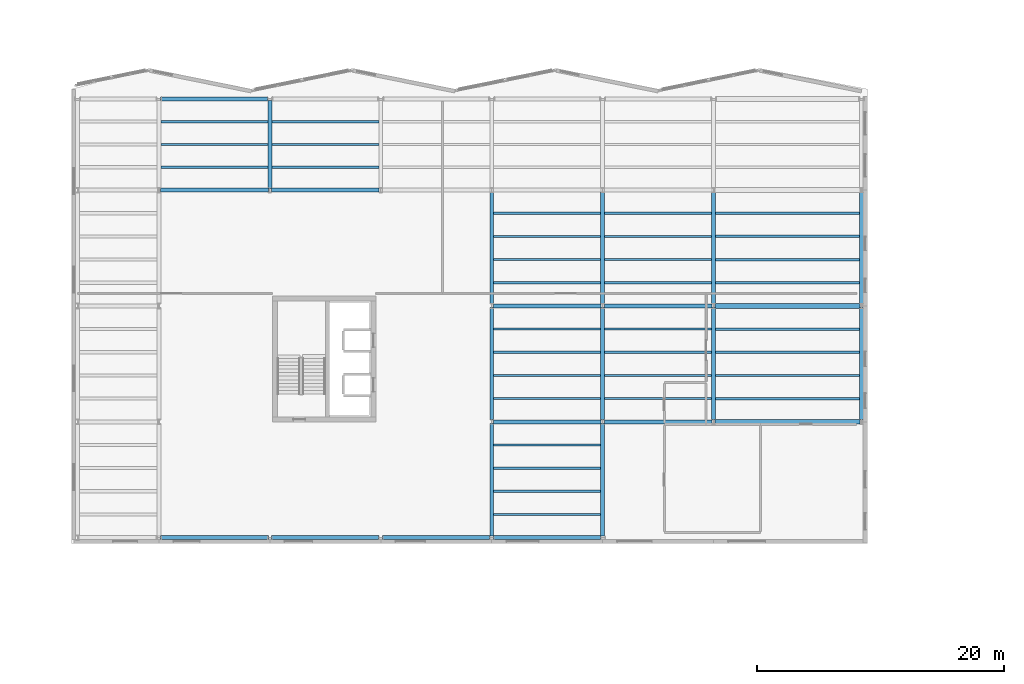
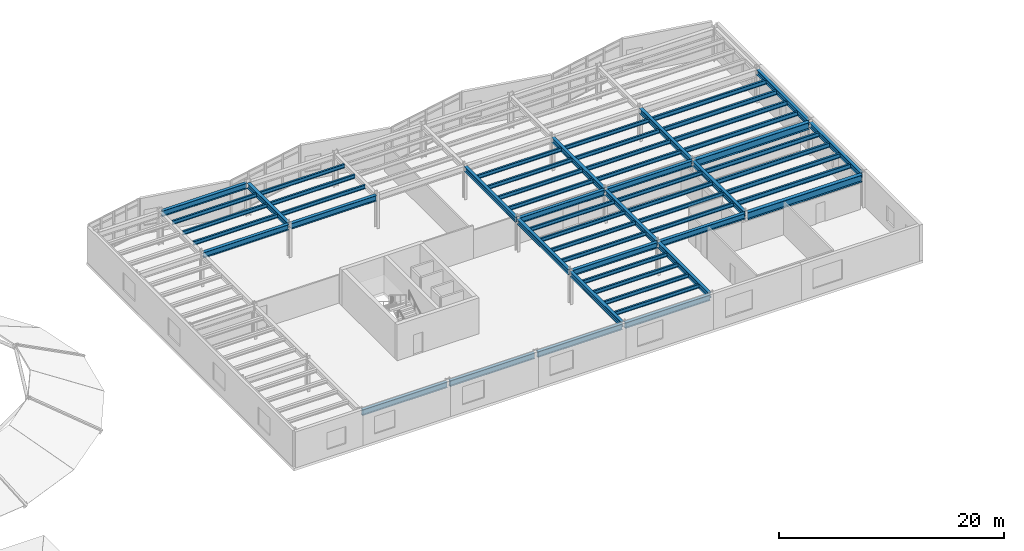
# One storey, part 13 of 46: 58 beams.
"""IFC4 building model written with IfcOpenShell, lengths in metres."""

from ifc_helpers import new_model, si_unit, direction, frame, origin, origin_2d, place, context, subcontext, project, spatial, i_section, extrude, material, material_profile, profile_set, type_object, element, save


model = new_model("IFC4")

# Units and contexts
model_context = context("Model", 3, precision=1e-05, world=origin(), true_north=direction((0.0, 1.0)))
body_context = subcontext(model_context, "Body", "Model", "MODEL_VIEW")
ifc_project = project(units=[si_unit("LENGTHUNIT", "METRE"), si_unit("AREAUNIT", "SQUARE_METRE"), si_unit("VOLUMEUNIT", "CUBIC_METRE"), si_unit("PLANEANGLEUNIT", "RADIAN"), si_unit("MASSUNIT", "GRAM", prefix="KILO")], contexts=[model_context])

# Site, building, storey
site_placement = place(None, origin())
site = spatial("IfcSite", under=ifc_project, at=site_placement, CompositionType="ELEMENT")
building_placement = place(site_placement, origin())
building = spatial("IfcBuilding", under=site, at=building_placement, Name="Sollismere Congress Hotel", CompositionType="ELEMENT")
storey_placement = place(building_placement, frame((0.0, 0.0, 19.5)))
storey = spatial("IfcBuildingStorey", under=building, at=storey_placement, Name="L04", CompositionType="ELEMENT", Elevation=19.5)

# Beams
ifc_material = material(Name="Steel ASTM A992 Grade 50", Category="steel")
ifc_material_profile_1 = material_profile(ifc_material, i_section(OverallWidth=0.31494140625, OverallDepth=0.551025390625, WebThickness=0.01513671875, FlangeThickness=0.0244140625, at=origin_2d()), Name="W21X122")
ifc_profile_set_1 = profile_set([ifc_material_profile_1], Name="Steel ASTM A992 Grade 50")
beam_type_1 = type_object("IfcBeamType", Name="BM-G21H", PredefinedType="BEAM", material=ifc_profile_set_1)
beam_1_placement = place(storey_placement, frame((76.0, 95.139892578125, 3.33447265625), z_axis=(0.0, 1.0, 0.0), x_axis=(-1.0, 0.0, 0.0)))
element("IfcBeam", 1, at=beam_1_placement, inside=storey, type_object=beam_type_1, Name="Beam BM-L04-2737", PredefinedType="BEAM", context=body_context, shape_type="SweptSolid", body=[
    extrude(i_section(OverallWidth=0.31494140625, OverallDepth=0.551025390625, WebThickness=0.01513671875, FlangeThickness=0.0244140625, at=origin_2d()), origin(), (0.0, 0.0, 1.0), 7.1201171875),
])
beam_2_placement = place(storey_placement, frame((94.0, 66.93994140625, 3.33447265625), z_axis=(0.0, 1.0, 0.0), x_axis=(-1.0, 0.0, 0.0)))
element("IfcBeam", 2, at=beam_2_placement, inside=storey, type_object=beam_type_1, Name="Beam BM-L04-2742", PredefinedType="BEAM", context=body_context, shape_type="SweptSolid", body=[
    extrude(i_section(OverallWidth=0.31494140625, OverallDepth=0.551025390625, WebThickness=0.01513671875, FlangeThickness=0.0244140625, at=origin_2d()), origin(), (0.0, 0.0, 1.0), 9.1201171875),
])
beam_3_placement = place(storey_placement, frame((94.0, 76.340087890625, 3.33447265625), z_axis=(0.0, 1.0, 0.0), x_axis=(-1.0, 0.0, 0.0)))
element("IfcBeam", 3, at=beam_3_placement, inside=storey, type_object=beam_type_1, Name="Beam BM-L04-2743", PredefinedType="BEAM", context=body_context, shape_type="SweptSolid", body=[
    extrude(i_section(OverallWidth=0.31494140625, OverallDepth=0.551025390625, WebThickness=0.01513671875, FlangeThickness=0.0244140625, at=origin_2d()), origin(), (0.0, 0.0, 1.0), 9.119873046875),
])
for number, where, z_axis, x_axis, name in (
    (4, (94.0, 85.739990234375, 3.33447265625), (0.0, 1.0, 0.0), (-1.0, 0.0, 0.0), "Beam BM-L04-2744"),
    (5, (103.0, 66.93994140625, 3.33447265625), (0.0, 1.0, 0.0), (-1.0, 0.0, 0.0), "Beam BM-L04-2747"),
):
    element("IfcBeam", number, at=place(storey_placement, frame(where, z_axis=z_axis, x_axis=x_axis)), inside=storey, type_object=beam_type_1, Name=name, PredefinedType="BEAM", context=body_context, shape_type="SweptSolid", body=[
        extrude(i_section(OverallWidth=0.31494140625, OverallDepth=0.551025390625, WebThickness=0.01513671875, FlangeThickness=0.0244140625, at=origin_2d()), origin(), (0.0, 0.0, 1.0), 9.1201171875),
    ])
beam_4_placement = place(storey_placement, frame((103.0, 76.340087890625, 3.33447265625), z_axis=(0.0, 1.0, 0.0), x_axis=(-1.0, 0.0, 0.0)))
element("IfcBeam", 6, at=beam_4_placement, inside=storey, type_object=beam_type_1, Name="Beam BM-L04-2748", PredefinedType="BEAM", context=body_context, shape_type="SweptSolid", body=[
    extrude(i_section(OverallWidth=0.31494140625, OverallDepth=0.551025390625, WebThickness=0.01513671875, FlangeThickness=0.0244140625, at=origin_2d()), origin(), (0.0, 0.0, 1.0), 9.119873046875),
])
beam_5_placement = place(storey_placement, frame((103.0, 85.739990234375, 3.33447265625), z_axis=(0.0, 1.0, 0.0), x_axis=(-1.0, 0.0, 0.0)))
element("IfcBeam", 7, at=beam_5_placement, inside=storey, type_object=beam_type_1, Name="Beam BM-L04-2749", PredefinedType="BEAM", context=body_context, shape_type="SweptSolid", body=[
    extrude(i_section(OverallWidth=0.31494140625, OverallDepth=0.551025390625, WebThickness=0.01513671875, FlangeThickness=0.0244140625, at=origin_2d()), origin(), (0.0, 0.0, 1.0), 9.1201171875),
])
beam_6_placement = place(storey_placement, frame((112.0, 76.340087890625, 3.33447265625), z_axis=(0.0, 1.0, 0.0), x_axis=(-1.0, 0.0, 0.0)))
element("IfcBeam", 8, at=beam_6_placement, inside=storey, type_object=beam_type_1, Name="Beam BM-L04-2753", PredefinedType="BEAM", context=body_context, shape_type="SweptSolid", body=[
    extrude(i_section(OverallWidth=0.31494140625, OverallDepth=0.551025390625, WebThickness=0.01513671875, FlangeThickness=0.0244140625, at=origin_2d()), origin(), (0.0, 0.0, 1.0), 9.119873046875),
])
beam_7_placement = place(storey_placement, frame((112.0, 85.739990234375, 3.33447265625), z_axis=(0.0, 1.0, 0.0), x_axis=(-1.0, 0.0, 0.0)))
element("IfcBeam", 9, at=beam_7_placement, inside=storey, type_object=beam_type_1, Name="Beam BM-L04-2754", PredefinedType="BEAM", context=body_context, shape_type="SweptSolid", body=[
    extrude(i_section(OverallWidth=0.31494140625, OverallDepth=0.551025390625, WebThickness=0.01513671875, FlangeThickness=0.0244140625, at=origin_2d()), origin(), (0.0, 0.0, 1.0), 9.1201171875),
])
beam_8_placement = place(storey_placement, frame((124.0, 76.340087890625, 3.33447265625), z_axis=(0.0, 1.0, 0.0), x_axis=(-1.0, 0.0, 0.0)))
element("IfcBeam", 10, at=beam_8_placement, inside=storey, type_object=beam_type_1, Name="Beam BM-L04-2758", PredefinedType="BEAM", context=body_context, shape_type="SweptSolid", body=[
    extrude(i_section(OverallWidth=0.31494140625, OverallDepth=0.551025390625, WebThickness=0.01513671875, FlangeThickness=0.0244140625, at=origin_2d()), origin(), (0.0, 0.0, 1.0), 9.119873046875),
])
beam_9_placement = place(storey_placement, frame((124.0, 85.739990234375, 3.33447265625), z_axis=(0.0, 1.0, 0.0), x_axis=(-1.0, 0.0, 0.0)))
element("IfcBeam", 11, at=beam_9_placement, inside=storey, type_object=beam_type_1, Name="Beam BM-L04-2759", PredefinedType="BEAM", context=body_context, shape_type="SweptSolid", body=[
    extrude(i_section(OverallWidth=0.31494140625, OverallDepth=0.551025390625, WebThickness=0.01513671875, FlangeThickness=0.0244140625, at=origin_2d()), origin(), (0.0, 0.0, 1.0), 9.1201171875),
])
ifc_material_profile_2 = material_profile(ifc_material, i_section(OverallWidth=0.324951171875, OverallDepth=0.612060546875, WebThickness=0.0126953125, FlangeThickness=0.01904296875, at=origin_2d()), Name="W24X104")
ifc_profile_set_2 = profile_set([ifc_material_profile_2], Name="Steel ASTM A992 Grade 50")
beam_type_2 = type_object("IfcBeamType", Name="BM-G24", PredefinedType="BEAM", material=ifc_profile_set_2)
for number, where, z_axis, x_axis, name in (
    (12, (67.131103515625, 66.800048828125, 3.303955078125), (1.0, 0.0, 0.0), (0.0, 1.0, 0.0), "Beam BM-L04-2691"),
    (13, (76.131103515625, 66.800048828125, 3.303955078125), (1.0, 0.0, 0.0), (0.0, 1.0, 0.0), "Beam BM-L04-2692"),
    (14, (85.131103515625, 66.800048828125, 3.303955078125), (1.0, 0.0, 0.0), (0.0, 1.0, 0.0), "Beam BM-L04-2693"),
    (15, (94.131103515625, 66.800048828125, 3.303955078125), (1.0, 0.0, 0.0), (0.0, 1.0, 0.0), "Beam BM-L04-2694"),
    (16, (94.131103515625, 76.199951171875, 3.303955078125), (1.0, 0.0, 0.0), (0.0, 1.0, 0.0), "Beam BM-L04-2698"),
    (17, (103.131103515625, 76.199951171875, 3.303955078125), (1.0, 0.0, 0.0), (0.0, 1.0, 0.0), "Beam BM-L04-2699"),
    (18, (94.131103515625, 85.60009765625, 3.303955078125), (1.0, 0.0, 0.0), (0.0, 1.0, 0.0), "Beam BM-L04-2702"),
    (19, (103.131103515625, 85.60009765625, 3.303955078125), (1.0, 0.0, 0.0), (0.0, 1.0, 0.0), "Beam BM-L04-2703"),
    (20, (67.131103515625, 95.0, 3.303955078125), (1.0, 0.0, 0.0), (0.0, 1.0, 0.0), "Beam BM-L04-2706"),
    (21, (76.131103515625, 95.0, 3.303955078125), (1.0, 0.0, 0.0), (0.0, 1.0, 0.0), "Beam BM-L04-2707"),
):
    element("IfcBeam", number, at=place(storey_placement, frame(where, z_axis=z_axis, x_axis=x_axis)), inside=storey, type_object=beam_type_2, Name=name, PredefinedType="BEAM", context=body_context, shape_type="SweptSolid", body=[
        extrude(i_section(OverallWidth=0.324951171875, OverallDepth=0.612060546875, WebThickness=0.0126953125, FlangeThickness=0.01904296875, at=origin_2d()), origin(), (0.0, 0.0, 1.0), 8.73779296875),
    ])
beam_10_placement = place(storey_placement, frame((67.139892578125, 102.39990234375, 3.303955078125), z_axis=(1.0, 0.0, 0.0), x_axis=(0.0, 1.0, 0.0)))
element("IfcBeam", 22, at=beam_10_placement, inside=storey, type_object=beam_type_2, Name="Beam BM-L04-2713", PredefinedType="BEAM", context=body_context, shape_type="SweptSolid", body=[
    extrude(i_section(OverallWidth=0.324951171875, OverallDepth=0.612060546875, WebThickness=0.0126953125, FlangeThickness=0.01904296875, at=origin_2d()), origin(), (0.0, 0.0, 1.0), 8.72021484375),
])
ifc_material_profile_3 = material_profile(ifc_material, i_section(OverallWidth=0.384033203125, OverallDepth=0.787109375, WebThickness=0.019775390625, FlangeThickness=0.033447265625, at=origin_2d()), Name="W30X211")
ifc_profile_set_3 = profile_set([ifc_material_profile_3], Name="Steel ASTM A992 Grade 50")
beam_type_3 = type_object("IfcBeamType", Name="BM-G30", PredefinedType="BEAM", material=ifc_profile_set_3)
for number, where, z_axis, x_axis, name in (
    (23, (112.131103515625, 76.199951171875, 3.216552734375), (1.0, 0.0, 0.0), (0.0, 1.0, 0.0), "Beam BM-L04-2700"),
    (24, (112.131103515625, 85.60009765625, 3.216552734375), (1.0, 0.0, 0.0), (0.0, 1.0, 0.0), "Beam BM-L04-2704"),
):
    element("IfcBeam", number, at=place(storey_placement, frame(where, z_axis=z_axis, x_axis=x_axis)), inside=storey, type_object=beam_type_3, Name=name, PredefinedType="BEAM", context=body_context, shape_type="SweptSolid", body=[
        extrude(i_section(OverallWidth=0.384033203125, OverallDepth=0.787109375, WebThickness=0.019775390625, FlangeThickness=0.033447265625, at=origin_2d()), origin(), (0.0, 0.0, 1.0), 11.73779296875),
    ])
ifc_material_profile_4 = material_profile(ifc_material, i_section(OverallWidth=0.180908203125, OverallDepth=0.4169921875, WebThickness=0.010986328125, FlangeThickness=0.018310546875, at=origin_2d()), Name="W16X57")
ifc_profile_set_4 = profile_set([ifc_material_profile_4], Name="Steel ASTM A992 Grade 50")
beam_type_4 = type_object("IfcBeamType", Name="BM-J16", PredefinedType="JOIST", material=ifc_profile_set_4)
for number, where, z_axis, x_axis, name in (
    (25, (67.157470703125, 96.85009765625, 3.401611328125), (1.0, 0.0, 0.0), (0.0, 1.0, 0.0), "Beam BM-L04-2821"),
    (26, (67.157470703125, 98.699951171875, 3.401611328125), (1.0, 0.0, 0.0), (0.0, 1.0, 0.0), "Beam BM-L04-2822"),
    (27, (67.157470703125, 100.550048828125, 3.401611328125), (1.0, 0.0, 0.0), (0.0, 1.0, 0.0), "Beam BM-L04-2823"),
    (28, (76.157470703125, 96.85009765625, 3.401611328125), (1.0, 0.0, 0.0), (0.0, 1.0, 0.0), "Beam BM-L04-2832"),
    (29, (76.157470703125, 98.699951171875, 3.401611328125), (1.0, 0.0, 0.0), (0.0, 1.0, 0.0), "Beam BM-L04-2833"),
    (30, (76.157470703125, 100.550048828125, 3.401611328125), (1.0, 0.0, 0.0), (0.0, 1.0, 0.0), "Beam BM-L04-2834"),
    (31, (94.157470703125, 68.679931640625, 3.401611328125), (1.0, 0.0, 0.0), (0.0, 1.0, 0.0), "Beam BM-L04-2846"),
    (32, (94.157470703125, 70.56005859375, 3.401611328125), (1.0, 0.0, 0.0), (0.0, 1.0, 0.0), "Beam BM-L04-2847"),
    (33, (94.157470703125, 72.43994140625, 3.401611328125), (1.0, 0.0, 0.0), (0.0, 1.0, 0.0), "Beam BM-L04-2848"),
    (34, (94.157470703125, 74.320068359375, 3.401611328125), (1.0, 0.0, 0.0), (0.0, 1.0, 0.0), "Beam BM-L04-2849"),
    (35, (94.157470703125, 78.080078125, 3.401611328125), (1.0, 0.0, 0.0), (0.0, 1.0, 0.0), "Beam BM-L04-2850"),
    (36, (94.157470703125, 79.9599609375, 3.401611328125), (1.0, 0.0, 0.0), (0.0, 1.0, 0.0), "Beam BM-L04-2851"),
    (37, (94.157470703125, 81.840087890625, 3.401611328125), (1.0, 0.0, 0.0), (0.0, 1.0, 0.0), "Beam BM-L04-2852"),
    (38, (94.157470703125, 83.719970703125, 3.401611328125), (1.0, 0.0, 0.0), (0.0, 1.0, 0.0), "Beam BM-L04-2853"),
    (39, (94.157470703125, 87.47998046875, 3.401611328125), (1.0, 0.0, 0.0), (0.0, 1.0, 0.0), "Beam BM-L04-2854"),
    (40, (94.157470703125, 89.360107421875, 3.401611328125), (1.0, 0.0, 0.0), (0.0, 1.0, 0.0), "Beam BM-L04-2855"),
    (41, (94.157470703125, 91.239990234375, 3.401611328125), (1.0, 0.0, 0.0), (0.0, 1.0, 0.0), "Beam BM-L04-2856"),
    (42, (94.157470703125, 93.1201171875, 3.401611328125), (1.0, 0.0, 0.0), (0.0, 1.0, 0.0), "Beam BM-L04-2857"),
    (43, (103.157470703125, 78.080078125, 3.401611328125), (1.0, 0.0, 0.0), (0.0, 1.0, 0.0), "Beam BM-L04-2865"),
    (44, (103.157470703125, 79.9599609375, 3.401611328125), (1.0, 0.0, 0.0), (0.0, 1.0, 0.0), "Beam BM-L04-2866"),
    (45, (103.157470703125, 81.840087890625, 3.401611328125), (1.0, 0.0, 0.0), (0.0, 1.0, 0.0), "Beam BM-L04-2867"),
    (46, (103.157470703125, 83.719970703125, 3.401611328125), (1.0, 0.0, 0.0), (0.0, 1.0, 0.0), "Beam BM-L04-2868"),
    (47, (103.157470703125, 87.47998046875, 3.401611328125), (1.0, 0.0, 0.0), (0.0, 1.0, 0.0), "Beam BM-L04-2869"),
    (48, (103.157470703125, 89.360107421875, 3.401611328125), (1.0, 0.0, 0.0), (0.0, 1.0, 0.0), "Beam BM-L04-2870"),
    (49, (103.157470703125, 91.239990234375, 3.401611328125), (1.0, 0.0, 0.0), (0.0, 1.0, 0.0), "Beam BM-L04-2871"),
    (50, (103.157470703125, 93.1201171875, 3.401611328125), (1.0, 0.0, 0.0), (0.0, 1.0, 0.0), "Beam BM-L04-2872"),
):
    element("IfcBeam", number, at=place(storey_placement, frame(where, z_axis=z_axis, x_axis=x_axis)), inside=storey, type_object=beam_type_4, Name=name, PredefinedType="JOIST", context=body_context, shape_type="SweptSolid", body=[
        extrude(i_section(OverallWidth=0.180908203125, OverallDepth=0.4169921875, WebThickness=0.010986328125, FlangeThickness=0.018310546875, at=origin_2d()), origin(), (0.0, 0.0, 1.0), 8.68505859375),
    ])
ifc_material_profile_5 = material_profile(ifc_material, i_section(OverallWidth=0.193115234375, OverallDepth=0.467041015625, WebThickness=0.011474609375, FlangeThickness=0.01904296875, at=origin_2d()), Name="W18X65")
ifc_profile_set_5 = profile_set([ifc_material_profile_5], Name="Steel ASTM A992 Grade 50")
beam_type_5 = type_object("IfcBeamType", Name="BM-J18", PredefinedType="JOIST", material=ifc_profile_set_5)
for number, where, z_axis, x_axis, name in (
    (51, (112.157470703125, 78.080078125, 3.37646484375), (1.0, 0.0, 0.0), (0.0, 1.0, 0.0), "Beam BM-L04-2884"),
    (52, (112.157470703125, 79.9599609375, 3.37646484375), (1.0, 0.0, 0.0), (0.0, 1.0, 0.0), "Beam BM-L04-2885"),
    (53, (112.157470703125, 81.840087890625, 3.37646484375), (1.0, 0.0, 0.0), (0.0, 1.0, 0.0), "Beam BM-L04-2886"),
    (54, (112.157470703125, 83.719970703125, 3.37646484375), (1.0, 0.0, 0.0), (0.0, 1.0, 0.0), "Beam BM-L04-2887"),
    (55, (112.157470703125, 87.47998046875, 3.37646484375), (1.0, 0.0, 0.0), (0.0, 1.0, 0.0), "Beam BM-L04-2888"),
    (56, (112.157470703125, 89.360107421875, 3.37646484375), (1.0, 0.0, 0.0), (0.0, 1.0, 0.0), "Beam BM-L04-2889"),
    (57, (112.157470703125, 91.239990234375, 3.37646484375), (1.0, 0.0, 0.0), (0.0, 1.0, 0.0), "Beam BM-L04-2890"),
    (58, (112.157470703125, 93.1201171875, 3.37646484375), (1.0, 0.0, 0.0), (0.0, 1.0, 0.0), "Beam BM-L04-2891"),
):
    element("IfcBeam", number, at=place(storey_placement, frame(where, z_axis=z_axis, x_axis=x_axis)), inside=storey, type_object=beam_type_5, Name=name, PredefinedType="JOIST", context=body_context, shape_type="SweptSolid", body=[
        extrude(i_section(OverallWidth=0.193115234375, OverallDepth=0.467041015625, WebThickness=0.011474609375, FlangeThickness=0.01904296875, at=origin_2d()), origin(), (0.0, 0.0, 1.0), 11.68505859375),
    ])

save(model, "model.ifc")
